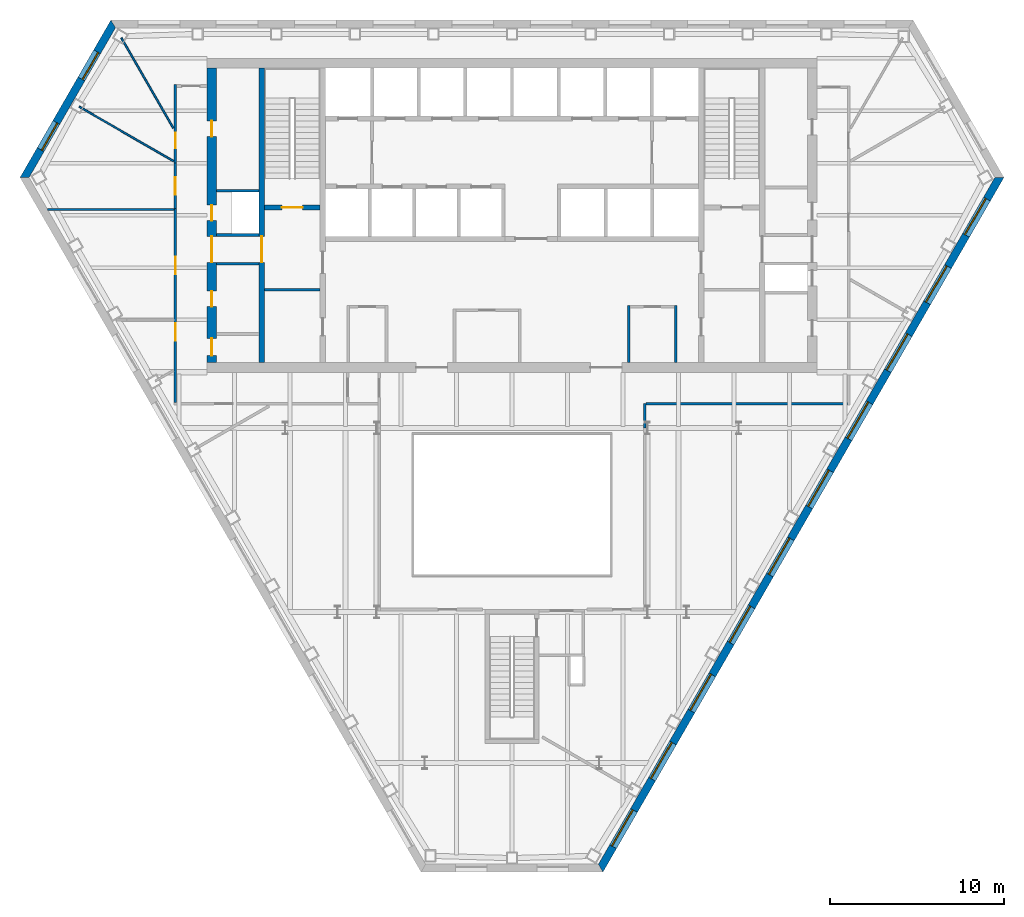
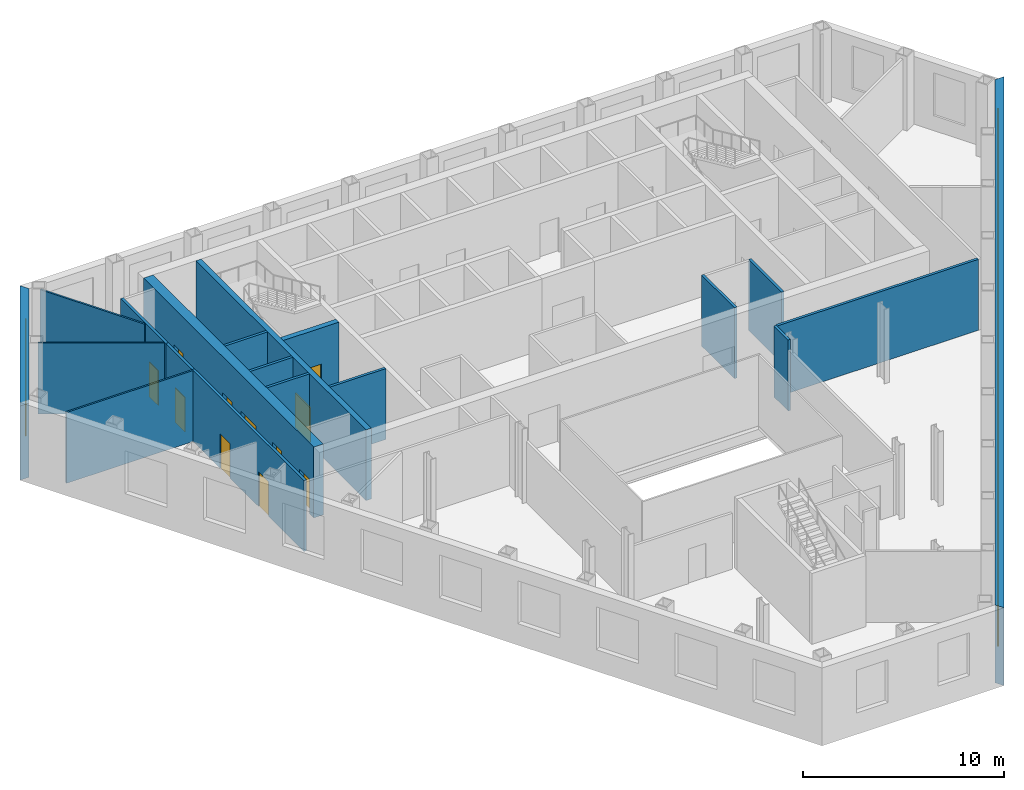
# One storey, part 5 of 11: 19 walls, 12 windows, 11 doors, 23 openings.
"""IFC4 building model written with IfcOpenShell, lengths in metres."""

from ifc_helpers import new_model, si_unit, direction, frame, frame_2d, origin, place, context, subcontext, project, spatial, polyline, rectangle, outline, extrude, material, layer, layer_set, type_object, element, fill, save


model = new_model("IFC4")

# Units and contexts
model_context = context("Model", 3, precision=1e-05, world=origin(), true_north=direction((0.0, 1.0)))
body_context = subcontext(model_context, "Body", "Model", "MODEL_VIEW")
ifc_project = project(units=[si_unit("LENGTHUNIT", "METRE"), si_unit("AREAUNIT", "SQUARE_METRE"), si_unit("VOLUMEUNIT", "CUBIC_METRE"), si_unit("PLANEANGLEUNIT", "RADIAN"), si_unit("MASSUNIT", "GRAM", prefix="KILO")], contexts=[model_context])

# Site, building, storey
site_placement = place(None, origin())
site = spatial("IfcSite", under=ifc_project, at=site_placement, CompositionType="ELEMENT")
building_placement = place(site_placement, origin())
building = spatial("IfcBuilding", under=site, at=building_placement, Name="Njiva Tower", CompositionType="ELEMENT")
storey_placement = place(building_placement, frame((0.0, 0.0, 93.3)))
storey = spatial("IfcBuildingStorey", under=building, at=storey_placement, Name="L19", CompositionType="ELEMENT", Elevation=93.3)

# Walls
ifc_material_1 = material(Name="Blockwork", Category="masonry")
ifc_layer_1 = layer(ifc_material_1, 0.15)
ifc_layer_set_1 = layer_set([ifc_layer_1], Name="Blockwork")
wall_type_1 = type_object("IfcWallType", Name="WT1 Compartment partition 150", PredefinedType="PARTITIONING", material=ifc_layer_set_1)
wall_1_placement = place(storey_placement, frame((-14.2, 4.725, 0.0), z_axis=(0.0, 0.0, 1.0), x_axis=(1.0, 0.0, 0.0)))
element("IfcWall", 1, at=wall_1_placement, inside=storey, type_object=wall_type_1, Name="Room wall A", PredefinedType="PARTITIONING", context=body_context, shape_type="SweptSolid", body=[
    extrude(rectangle(XDim=3.2, YDim=0.15, at=frame_2d((1.6, 0.0))), origin(), (0.0, 0.0, 1.0), 4.3),
])
for number, where, z_axis, x_axis, name in (
    (2, (6.7, 0.55, 0.0), (0.0, 0.0, 1.0), (0.0, 1.0, 0.0), "Information office wall west"),
    (3, (9.4, 0.55, 0.0), (0.0, 0.0, 1.0), (0.0, 1.0, 0.0), "Information office wall east"),
):
    element("IfcWall", number, at=place(storey_placement, frame(where, z_axis=z_axis, x_axis=x_axis)), inside=storey, type_object=wall_type_1, Name=name, PredefinedType="PARTITIONING", context=body_context, shape_type="SweptSolid", body=[
        extrude(rectangle(XDim=3.275, YDim=0.15, at=frame_2d((1.6375, 0.0))), origin(), (0.0, 0.0, 1.0), 4.3),
    ])

# Wall, opening, door
ifc_material_2 = material(Name="Concrete C40/50", Category="concrete")
ifc_layer_2 = layer(ifc_material_2, 0.3)
ifc_layer_set_2 = layer_set([ifc_layer_2], Name="Concrete C40/50")
wall_type_2 = type_object("IfcWallType", Name="WT10 Stair enclosure wall 300", PredefinedType="SHEAR", material=ifc_layer_set_2)
wall_2_placement = place(storey_placement, frame((-14.35, 0.55, 0.0), z_axis=(0.0, 0.0, 1.0), x_axis=(0.0, 1.0, 0.0)))
wall_2 = element("IfcWall", 4, at=wall_2_placement, inside=storey, type_object=wall_type_2, Name="Stair wall west outer", PredefinedType="SHEAR", context=body_context, shape_type="SweptSolid", body=[
    extrude(rectangle(XDim=16.9, YDim=0.3, at=frame_2d((8.45, 0.0))), origin(), (0.0, 0.0, 1.0), 4.3),
])
opening_1_placement = place(wall_2_placement, frame((5.75, 0.0, 0.0)))
opening_1 = element("IfcOpeningElement", 5, at=opening_1_placement, cuts=wall_2, Name="Opening S06-D920", PredefinedType="OPENING", context=body_context, shape_type="SweptSolid", body=[
    extrude(rectangle(XDim=1.5, YDim=2.1, at=frame_2d((0.75, 1.05))), frame((0.0, 0.16, 0.0), z_axis=(0.0, -1.0, 0.0), x_axis=(1.0, 0.0, 0.0)), (0.0, 0.0, 1.0), 0.32),
])
ifc_material_3 = material(Name="Glazed steel fire door", Category="steel")
door_type_1 = type_object("IfcDoorType", Name="D10 Exit door double 1500x2100 glazed", OperationType="DOUBLE_DOOR_SINGLE_SWING", PredefinedType="DOOR", material=ifc_material_3)
door_1_placement = place(opening_1_placement, origin())
door_1 = element("IfcDoor", 6, at=door_1_placement, inside=storey, type_object=door_type_1, Name="Stair A passage door", OperationType="DOUBLE_DOOR_SINGLE_SWING", OverallHeight=2.1, OverallWidth=1.5, PredefinedType="DOOR", context=body_context, shape_type="SweptSolid", body=[
    extrude(rectangle(XDim=1.5, YDim=2.1, at=frame_2d((0.75, 1.05))), frame((0.0, 0.025, 0.0), z_axis=(0.0, -1.0, 0.0), x_axis=(1.0, 0.0, 0.0)), (0.0, 0.0, 1.0), 0.05),
])
fill(opening_1, door_1)

wall_3_placement = place(storey_placement, frame((-14.2, 9.45, 0.0), z_axis=(0.0, 0.0, 1.0), x_axis=(1.0, 0.0, 0.0)))
wall_3 = element("IfcWall", 7, at=wall_3_placement, inside=storey, type_object=wall_type_2, Name="Stair A south wall", PredefinedType="SHEAR", context=body_context, shape_type="SweptSolid", body=[
    extrude(rectangle(XDim=3.2, YDim=0.3, at=frame_2d((1.6, 0.0))), origin(), (0.0, 0.0, 1.0), 4.3),
])
opening_2_placement = place(wall_3_placement, frame((1.0, 0.0, 0.0)))
opening_2 = element("IfcOpeningElement", 8, at=opening_2_placement, cuts=wall_3, Name="Opening S06-D913", PredefinedType="OPENING", context=body_context, shape_type="SweptSolid", body=[
    extrude(rectangle(XDim=1.2, YDim=2.1, at=frame_2d((0.6, 1.05))), frame((0.0, 0.16, 0.0), z_axis=(0.0, -1.0, 0.0), x_axis=(1.0, 0.0, 0.0)), (0.0, 0.0, 1.0), 0.32),
])
door_type_2 = type_object("IfcDoorType", Name="D7 Stair vestibule door 1200x2100 glazed", OperationType="SINGLE_SWING_LEFT", PredefinedType="DOOR", material=ifc_material_3)
door_2_placement = place(opening_2_placement, origin())
door_2 = element("IfcDoor", 9, at=door_2_placement, inside=storey, type_object=door_type_2, Name="Stair A door", OperationType="SINGLE_SWING_LEFT", OverallHeight=2.1, OverallWidth=1.2, PredefinedType="DOOR", context=body_context, shape_type="SweptSolid", body=[
    extrude(rectangle(XDim=1.2, YDim=2.1, at=frame_2d((0.6, 1.05))), frame((0.0, 0.025, 0.0), z_axis=(0.0, -1.0, 0.0), x_axis=(1.0, 0.0, 0.0)), (0.0, 0.0, 1.0), 0.05),
])
fill(opening_2, door_2)

# Wall, openings, doors
ifc_material_4 = material(Name="Concrete C60/75", Category="concrete")
ifc_layer_3 = layer(ifc_material_4, 0.55)
ifc_layer_set_3 = layer_set([ifc_layer_3], Name="Concrete C60/75")
wall_type_3 = type_object("IfcWallType", Name="WT14 Core wall 550", PredefinedType="SHEAR", material=ifc_layer_set_3)
wall_4_placement = place(storey_placement, frame((-17.225, 0.55, 0.0), z_axis=(0.0, 0.0, 1.0), x_axis=(0.0, 1.0, 0.0)))
wall_4 = element("IfcWall", 10, at=wall_4_placement, inside=storey, type_object=wall_type_3, Name="Core wall west", PredefinedType="SHEAR", context=body_context, shape_type="SweptSolid", body=[
    extrude(rectangle(XDim=16.9, YDim=0.55, at=frame_2d((8.45, 0.0))), origin(), (0.0, 0.0, 1.0), 4.3),
])
opening_3_placement = place(wall_4_placement, frame((5.75, 0.0, 0.0)))
opening_3 = element("IfcOpeningElement", 11, at=opening_3_placement, cuts=wall_4, Name="Opening S06-D921", PredefinedType="OPENING", context=body_context, shape_type="SweptSolid", body=[
    extrude(rectangle(XDim=1.5, YDim=2.1, at=frame_2d((0.75, 1.05))), frame((0.0, 0.285, 0.0), z_axis=(0.0, -1.0, 0.0), x_axis=(1.0, 0.0, 0.0)), (0.0, 0.0, 1.0), 0.57),
])
opening_4_placement = place(wall_4_placement, frame((0.4, 0.0, 0.0)))
opening_4 = element("IfcOpeningElement", 12, at=opening_4_placement, cuts=wall_4, Name="Opening S06-D922", PredefinedType="OPENING", context=body_context, shape_type="SweptSolid", body=[
    extrude(rectangle(XDim=1.0, YDim=2.1, at=frame_2d((0.5, 1.05))), frame((0.0, 0.285, 0.0), z_axis=(0.0, -1.0, 0.0), x_axis=(1.0, 0.0, 0.0)), (0.0, 0.0, 1.0), 0.57),
])
opening_5_placement = place(wall_4_placement, frame((3.2099, 0.0, 0.0)))
opening_5 = element("IfcOpeningElement", 13, at=opening_5_placement, cuts=wall_4, Name="Opening S06-D923", PredefinedType="OPENING", context=body_context, shape_type="SweptSolid", body=[
    extrude(rectangle(XDim=0.9, YDim=2.1, at=frame_2d((0.45, 1.05))), frame((0.0, 0.285, 0.0), z_axis=(0.0, -1.0, 0.0), x_axis=(1.0, 0.0, 0.0)), (0.0, 0.0, 1.0), 0.57),
])
opening_6_placement = place(wall_4_placement, frame((8.1409, 0.0, 0.0)))
opening_6 = element("IfcOpeningElement", 14, at=opening_6_placement, cuts=wall_4, Name="Opening S06-D924", PredefinedType="OPENING", context=body_context, shape_type="SweptSolid", body=[
    extrude(rectangle(XDim=0.9, YDim=2.1, at=frame_2d((0.45, 1.05))), frame((0.0, 0.285, 0.0), z_axis=(0.0, -1.0, 0.0), x_axis=(1.0, 0.0, 0.0)), (0.0, 0.0, 1.0), 0.57),
])
opening_7_placement = place(wall_4_placement, frame((12.9659, 0.0, 0.0)))
opening_7 = element("IfcOpeningElement", 15, at=opening_7_placement, cuts=wall_4, Name="Opening S06-D925", PredefinedType="OPENING", context=body_context, shape_type="SweptSolid", body=[
    extrude(rectangle(XDim=0.9, YDim=2.1, at=frame_2d((0.45, 1.05))), frame((0.0, 0.285, 0.0), z_axis=(0.0, -1.0, 0.0), x_axis=(1.0, 0.0, 0.0)), (0.0, 0.0, 1.0), 0.57),
])
door_3_placement = place(opening_3_placement, origin())
door_3 = element("IfcDoor", 16, at=door_3_placement, inside=storey, type_object=door_type_1, Name="Stair A corridor door", OperationType="DOUBLE_DOOR_SINGLE_SWING", OverallHeight=2.1, OverallWidth=1.5, PredefinedType="DOOR", context=body_context, shape_type="SweptSolid", body=[
    extrude(rectangle(XDim=1.5, YDim=2.1, at=frame_2d((0.75, 1.05))), frame((0.0, 0.025, 0.0), z_axis=(0.0, -1.0, 0.0), x_axis=(1.0, 0.0, 0.0)), (0.0, 0.0, 1.0), 0.05),
])
fill(opening_3, door_3)
ifc_material_5 = material(Name="Steel door, painted", Category="steel")
door_type_3 = type_object("IfcDoorType", Name="D4 Riser door 900x2100", OperationType="SINGLE_SWING_LEFT", PredefinedType="DOOR", material=ifc_material_5)
door_4_placement = place(opening_6_placement, origin())
door_4 = element("IfcDoor", 17, at=door_4_placement, inside=storey, type_object=door_type_3, Name="Riser door", OperationType="SINGLE_SWING_LEFT", OverallHeight=2.1, OverallWidth=0.9, PredefinedType="DOOR", context=body_context, shape_type="SweptSolid", body=[
    extrude(rectangle(XDim=0.9, YDim=2.1, at=frame_2d((0.45, 1.05))), frame((0.0, 0.025, 0.0), z_axis=(0.0, -1.0, 0.0), x_axis=(1.0, 0.0, 0.0)), (0.0, 0.0, 1.0), 0.05),
])
fill(opening_6, door_4)
door_type_4 = type_object("IfcDoorType", Name="D5 Steel door 1000x2100", OperationType="SINGLE_SWING_LEFT", PredefinedType="DOOR", material=ifc_material_5)
door_5_placement = place(opening_4_placement, origin())
door_5 = element("IfcDoor", 18, at=door_5_placement, inside=storey, type_object=door_type_4, Name="Electrical room door", OperationType="SINGLE_SWING_LEFT", OverallHeight=2.1, OverallWidth=1.0, PredefinedType="DOOR", context=body_context, shape_type="SweptSolid", body=[
    extrude(rectangle(XDim=1.0, YDim=2.1, at=frame_2d((0.5, 1.05))), frame((0.0, 0.025, 0.0), z_axis=(0.0, -1.0, 0.0), x_axis=(1.0, 0.0, 0.0)), (0.0, 0.0, 1.0), 0.05),
])
fill(opening_4, door_5)
ifc_material_6 = material(Name="Steel fire door, painted", Category="steel")
door_type_5 = type_object("IfcDoorType", Name="D6 Fire-rated door 900x2100", OperationType="SINGLE_SWING_LEFT", PredefinedType="DOOR", material=ifc_material_6)
door_6_placement = place(opening_5_placement, origin())
door_6 = element("IfcDoor", 19, at=door_6_placement, inside=storey, type_object=door_type_5, Name="First aid room door", OperationType="SINGLE_SWING_LEFT", OverallHeight=2.1, OverallWidth=0.9, PredefinedType="DOOR", context=body_context, shape_type="SweptSolid", body=[
    extrude(rectangle(XDim=0.9, YDim=2.1, at=frame_2d((0.45, 1.05))), frame((0.0, 0.025, 0.0), z_axis=(0.0, -1.0, 0.0), x_axis=(1.0, 0.0, 0.0)), (0.0, 0.0, 1.0), 0.05),
])
fill(opening_5, door_6)
door_7_placement = place(opening_7_placement, origin())
door_7 = element("IfcDoor", 20, at=door_7_placement, inside=storey, type_object=door_type_5, Name="Breakout room door", OperationType="SINGLE_SWING_RIGHT", OverallHeight=2.1, OverallWidth=0.9, PredefinedType="DOOR", context=body_context, shape_type="SweptSolid", body=[
    extrude(rectangle(XDim=0.9, YDim=2.1, at=frame_2d((0.45, 1.05))), frame((0.0, 0.025, 0.0), z_axis=(0.0, -1.0, 0.0), x_axis=(1.0, 0.0, 0.0)), (0.0, 0.0, 1.0), 0.05),
])
fill(opening_7, door_7)

# Walls
ifc_material_7 = material(Name="Gypsum board on steel studs", Category="gypsum")
ifc_layer_4 = layer(ifc_material_7, 0.1)
ifc_layer_set_4 = layer_set([ifc_layer_4], Name="Gypsum board on steel studs")
wall_type_4 = type_object("IfcWallType", Name="WT20 Gypsum partition 100", PredefinedType="PARTITIONING", material=ifc_layer_set_4)
wall_5_placement = place(storey_placement, frame((-26.632, 9.335, 0.0), z_axis=(0.0, 0.0, 1.0), x_axis=(1.0, 0.0, 0.0)))
element("IfcWall", 21, at=wall_5_placement, inside=storey, type_object=wall_type_4, Name="Partition S06-P001", PredefinedType="PARTITIONING", context=body_context, shape_type="SweptSolid", body=[
    extrude(rectangle(XDim=7.257, YDim=0.1, at=frame_2d((3.6285, 0.0))), origin(), (0.0, 0.0, 1.0), 4.3),
])
wall_6_placement = place(storey_placement, frame((-24.823, 15.234, 0.0), z_axis=(0.0, 0.0, 1.0), x_axis=(0.866023364538, -0.500003532061, 0.0)))
element("IfcWall", 22, at=wall_6_placement, inside=storey, type_object=wall_type_4, Name="Partition S06-P002", PredefinedType="PARTITIONING", context=body_context, shape_type="SweptSolid", body=[
    extrude(rectangle(XDim=6.262, YDim=0.1, at=frame_2d((3.131, 0.0))), origin(), (0.0, 0.0, 1.0), 4.3),
])
wall_7_placement = place(storey_placement, frame((-22.406, 19.18, 0.0), z_axis=(0.0, 0.0, 1.0), x_axis=(0.500026652407, -0.866010015463, 0.0)))
element("IfcWall", 23, at=wall_7_placement, inside=storey, type_object=wall_type_4, Name="Partition S06-P004", PredefinedType="PARTITIONING", context=body_context, shape_type="SweptSolid", body=[
    extrude(rectangle(XDim=5.9757, YDim=0.1, at=frame_2d((2.9878, 0.0))), origin(), (0.0, 0.0, 1.0), 4.3),
])

# Wall, opening, door
ifc_layer_5 = layer(ifc_material_7, 0.15)
ifc_layer_set_5 = layer_set([ifc_layer_5], Name="Gypsum board on steel studs")
wall_type_5 = type_object("IfcWallType", Name="WT21 Compartment wall 150", PredefinedType="PARTITIONING", material=ifc_layer_set_5)
wall_8_placement = place(storey_placement, frame((-19.301, 11.995, 0.0), z_axis=(0.0, 0.0, 1.0), x_axis=(0.000383141734, -0.999999926601, 0.0)))
wall_8 = element("IfcWall", 24, at=wall_8_placement, inside=storey, type_object=wall_type_5, Name="Partition S06-P007", PredefinedType="PARTITIONING", context=body_context, shape_type="SweptSolid", body=[
    extrude(rectangle(XDim=2.61, YDim=0.15, at=frame_2d((1.305, 0.0))), origin(), (0.0, 0.0, 1.0), 4.3),
])
opening_8_placement = place(wall_8_placement, frame((0.805, 0.0, 0.0)))
opening_8 = element("IfcOpeningElement", 25, at=opening_8_placement, cuts=wall_8, Name="Opening S06-D002", PredefinedType="OPENING", context=body_context, shape_type="SweptSolid", body=[
    extrude(rectangle(XDim=1.0, YDim=2.1, at=frame_2d((0.5, 1.05))), frame((0.0, 0.085, 0.0), z_axis=(0.0, -1.0, 0.0), x_axis=(1.0, 0.0, 0.0)), (0.0, 0.0, 1.0), 0.17),
])
ifc_material_8 = material(Name="Steel fire door set", Category="steel")
door_type_6 = type_object("IfcDoorType", Name="D37 Fire door 1000x2100", OperationType="SINGLE_SWING_LEFT", PredefinedType="DOOR", material=ifc_material_8)
door_8_placement = place(opening_8_placement, origin())
door_8 = element("IfcDoor", 26, at=door_8_placement, inside=storey, type_object=door_type_6, Name="Door S06-D002", OperationType="SINGLE_SWING_LEFT", OverallHeight=2.1, OverallWidth=1.0, PredefinedType="DOOR", context=body_context, shape_type="SweptSolid", body=[
    extrude(rectangle(XDim=1.0, YDim=2.1, at=frame_2d((0.5, 1.05))), frame((0.0, 0.025, 0.0), z_axis=(0.0, -1.0, 0.0), x_axis=(1.0, 0.0, 0.0)), (0.0, 0.0, 1.0), 0.05),
])
fill(opening_8, door_8)

# Wall, openings, doors
wall_9_placement = place(storey_placement, frame((-19.3, -1.725, 0.0), z_axis=(0.0, 0.0, 1.0), x_axis=(0.0, 1.0, 0.0)))
wall_9 = element("IfcWall", 27, at=wall_9_placement, inside=storey, type_object=wall_type_5, Name="Partition S06-P008", PredefinedType="PARTITIONING", context=body_context, shape_type="SweptSolid", body=[
    extrude(rectangle(XDim=11.11, YDim=0.15, at=frame_2d((5.555, 0.0))), origin(), (0.0, 0.0, 1.0), 4.3),
])
opening_9_placement = place(wall_9_placement, frame((3.524, 0.0, 0.0)))
opening_9 = element("IfcOpeningElement", 28, at=opening_9_placement, cuts=wall_9, Name="Opening S06-D003", PredefinedType="OPENING", context=body_context, shape_type="SweptSolid", body=[
    extrude(rectangle(XDim=1.0, YDim=2.1, at=frame_2d((0.5, 1.05))), frame((0.0, 0.085, 0.0), z_axis=(0.0, -1.0, 0.0), x_axis=(1.0, 0.0, 0.0)), (0.0, 0.0, 1.0), 0.17),
])
opening_10_placement = place(wall_9_placement, frame((7.342, 0.0, 0.0)))
opening_10 = element("IfcOpeningElement", 29, at=opening_10_placement, cuts=wall_9, Name="Opening S06-D004", PredefinedType="OPENING", context=body_context, shape_type="SweptSolid", body=[
    extrude(rectangle(XDim=1.0, YDim=2.1, at=frame_2d((0.5, 1.05))), frame((0.0, 0.085, 0.0), z_axis=(0.0, -1.0, 0.0), x_axis=(1.0, 0.0, 0.0)), (0.0, 0.0, 1.0), 0.17),
])
door_9_placement = place(opening_9_placement, origin())
door_9 = element("IfcDoor", 30, at=door_9_placement, inside=storey, type_object=door_type_6, Name="Door S06-D003", OperationType="SINGLE_SWING_RIGHT", OverallHeight=2.1, OverallWidth=1.0, PredefinedType="DOOR", context=body_context, shape_type="SweptSolid", body=[
    extrude(rectangle(XDim=1.0, YDim=2.1, at=frame_2d((0.5, 1.05))), frame((0.0, 0.025, 0.0), z_axis=(0.0, -1.0, 0.0), x_axis=(1.0, 0.0, 0.0)), (0.0, 0.0, 1.0), 0.05),
])
fill(opening_9, door_9)
door_10_placement = place(opening_10_placement, origin())
door_10 = element("IfcDoor", 31, at=door_10_placement, inside=storey, type_object=door_type_6, Name="Door S06-D004", OperationType="SINGLE_SWING_LEFT", OverallHeight=2.1, OverallWidth=1.0, PredefinedType="DOOR", context=body_context, shape_type="SweptSolid", body=[
    extrude(rectangle(XDim=1.0, YDim=2.1, at=frame_2d((0.5, 1.05))), frame((0.0, 0.025, 0.0), z_axis=(0.0, -1.0, 0.0), x_axis=(1.0, 0.0, 0.0)), (0.0, 0.0, 1.0), 0.05),
])
fill(opening_10, door_10)

# Wall, opening, door
wall_10_placement = place(storey_placement, frame((-19.3, 11.995, 0.0), z_axis=(0.0, 0.0, 1.0), x_axis=(0.0, 1.0, 0.0)))
wall_10 = element("IfcWall", 32, at=wall_10_placement, inside=storey, type_object=wall_type_5, Name="Partition S06-P009", PredefinedType="PARTITIONING", context=body_context, shape_type="SweptSolid", body=[
    extrude(rectangle(XDim=4.496, YDim=0.15, at=frame_2d((2.248, 0.0))), origin(), (0.0, 0.0, 1.0), 4.3),
])
opening_11_placement = place(wall_10_placement, frame((0.855, 0.0, 0.0)))
opening_11 = element("IfcOpeningElement", 33, at=opening_11_placement, cuts=wall_10, Name="Opening S06-D005", PredefinedType="OPENING", context=body_context, shape_type="SweptSolid", body=[
    extrude(rectangle(XDim=0.9, YDim=2.1, at=frame_2d((0.45, 1.05))), frame((0.0, 0.085, 0.0), z_axis=(0.0, -1.0, 0.0), x_axis=(1.0, 0.0, 0.0)), (0.0, 0.0, 1.0), 0.17),
])
door_type_7 = type_object("IfcDoorType", Name="D36 Fire door 900x2100", OperationType="SINGLE_SWING_LEFT", PredefinedType="DOOR", material=ifc_material_8)
door_11_placement = place(opening_11_placement, origin())
door_11 = element("IfcDoor", 34, at=door_11_placement, inside=storey, type_object=door_type_7, Name="Door S06-D005", OperationType="SINGLE_SWING_RIGHT", OverallHeight=2.1, OverallWidth=0.9, PredefinedType="DOOR", context=body_context, shape_type="SweptSolid", body=[
    extrude(rectangle(XDim=0.9, YDim=2.1, at=frame_2d((0.45, 1.05))), frame((0.0, 0.025, 0.0), z_axis=(0.0, -1.0, 0.0), x_axis=(1.0, 0.0, 0.0)), (0.0, 0.0, 1.0), 0.05),
])
fill(opening_11, door_11)

# Walls
wall_11_placement = place(storey_placement, frame((7.61, -3.2, 0.0), z_axis=(0.0, 0.0, 1.0), x_axis=(0.0, 1.0, 0.0)))
element("IfcWall", 35, at=wall_11_placement, inside=storey, type_object=wall_type_5, Name="Partition S06-P017A", PredefinedType="PARTITIONING", context=body_context, shape_type="SweptSolid", body=[
    extrude(rectangle(XDim=1.411, YDim=0.15, at=frame_2d((0.7055, 0.0))), origin(), (0.0, 0.0, 1.0), 4.3),
])
wall_12_placement = place(storey_placement, frame((7.685, -1.8, 0.0), z_axis=(0.0, 0.0, 1.0), x_axis=(1.0, 0.0, 0.0)))
element("IfcWall", 36, at=wall_12_placement, inside=storey, type_object=wall_type_5, Name="Partition S06-P018", PredefinedType="PARTITIONING", context=body_context, shape_type="SweptSolid", body=[
    extrude(rectangle(XDim=11.54, YDim=0.15, at=frame_2d((5.77, 0.0))), origin(), (0.0, 0.0, 1.0), 4.3),
])
ifc_layer_6 = layer(ifc_material_1, 0.15)
ifc_layer_set_6 = layer_set([ifc_layer_6], Name="Blockwork")
wall_type_6 = type_object("IfcWallType", Name="WT3 Riser partition 150", PredefinedType="PARTITIONING", material=ifc_layer_set_6)
wall_13_placement = place(storey_placement, frame((-16.95, 10.4069, 0.0), z_axis=(0.0, 0.0, 1.0), x_axis=(1.0, 0.0, 0.0)))
element("IfcWall", 37, at=wall_13_placement, inside=storey, type_object=wall_type_6, Name="Partition strip W10", PredefinedType="PARTITIONING", context=body_context, shape_type="SweptSolid", body=[
    extrude(rectangle(XDim=2.45, YDim=0.15, at=frame_2d((1.225, 0.0))), origin(), (0.0, 0.0, 1.0), 4.3),
])
ifc_layer_7 = layer(ifc_material_1, 0.15)
ifc_layer_set_7 = layer_set([ifc_layer_7], Name="Blockwork")
wall_type_7 = type_object("IfcWallType", Name="WT4 Stair partition 150", PredefinedType="PARTITIONING", material=ifc_layer_set_7)
for number, where, z_axis, x_axis, name in (
    (38, (-16.95, 6.225, 0.0), (0.0, 0.0, 1.0), (1.0, 0.0, 0.0), "Stair A exit passage wall south"),
    (39, (-16.95, 7.875, 0.0), (0.0, 0.0, 1.0), (1.0, 0.0, 0.0), "Stair A exit passage wall north"),
):
    element("IfcWall", number, at=place(storey_placement, frame(where, z_axis=z_axis, x_axis=x_axis)), inside=storey, type_object=wall_type_7, Name=name, PredefinedType="PARTITIONING", context=body_context, shape_type="SweptSolid", body=[
        extrude(rectangle(XDim=2.45, YDim=0.15, at=frame_2d((1.225, 0.0))), origin(), (0.0, 0.0, 1.0), 4.3),
    ])

# Wall, openings, windows
ifc_material_9 = material(Name="Brick masonry", Category="masonry")
ifc_layer_8 = layer(ifc_material_9, 0.45)
ifc_layer_set_8 = layer_set([ifc_layer_8], Name="Brick masonry")
wall_type_8 = type_object("IfcWallType", Name="WT90 Brick pier and spandrel wall 450", PredefinedType="SOLIDWALL", material=ifc_layer_set_8)
wall_14_placement = place(storey_placement, frame((5.0851, -28.4362, -0.4), z_axis=(0.0, 0.0, 1.0), x_axis=(0.499999194392, 0.866025868902, 0.0)))
wall_14 = element("IfcWall", 40, at=wall_14_placement, inside=storey, type_object=wall_type_8, Name="Facade wall SE", PredefinedType="SOLIDWALL", context=body_context, shape_type="SweptSolid", body=[
    extrude(outline(polyline([(-0.1299, -0.225), (45.8602, -0.225), (45.6004, 0.225), (0.1299, 0.225), (-0.1299, -0.225)])), origin(), (0.0, 0.0, 1.0), 4.72),
])
opening_12_placement = place(wall_14_placement, frame((1.4237, 0.0, 1.3)))
opening_12 = element("IfcOpeningElement", 41, at=opening_12_placement, cuts=wall_14, Name="Opening S06-W24", PredefinedType="OPENING", context=body_context, shape_type="SweptSolid", body=[
    extrude(rectangle(XDim=2.4, YDim=2.6, at=frame_2d((1.2, 1.3))), frame((0.0, 0.235, 0.0), z_axis=(0.0, -1.0, 0.0), x_axis=(1.0, 0.0, 0.0)), (0.0, 0.0, 1.0), 0.47),
])
opening_13_placement = place(wall_14_placement, frame((5.8919, 0.0, 1.3)))
opening_13 = element("IfcOpeningElement", 42, at=opening_13_placement, cuts=wall_14, Name="Opening S06-W25", PredefinedType="OPENING", context=body_context, shape_type="SweptSolid", body=[
    extrude(rectangle(XDim=2.4, YDim=2.6, at=frame_2d((1.2, 1.3))), frame((0.0, 0.235, 0.0), z_axis=(0.0, -1.0, 0.0), x_axis=(1.0, 0.0, 0.0)), (0.0, 0.0, 1.0), 0.47),
])
opening_14_placement = place(wall_14_placement, frame((10.3985, 0.0, 1.3)))
opening_14 = element("IfcOpeningElement", 43, at=opening_14_placement, cuts=wall_14, Name="Opening S06-W26", PredefinedType="OPENING", context=body_context, shape_type="SweptSolid", body=[
    extrude(rectangle(XDim=2.4, YDim=2.6, at=frame_2d((1.2, 1.3))), frame((0.0, 0.235, 0.0), z_axis=(0.0, -1.0, 0.0), x_axis=(1.0, 0.0, 0.0)), (0.0, 0.0, 1.0), 0.47),
])
opening_15_placement = place(wall_14_placement, frame((14.9052, 0.0, 1.3)))
opening_15 = element("IfcOpeningElement", 44, at=opening_15_placement, cuts=wall_14, Name="Opening S06-W27", PredefinedType="OPENING", context=body_context, shape_type="SweptSolid", body=[
    extrude(rectangle(XDim=2.4, YDim=2.6, at=frame_2d((1.2, 1.3))), frame((0.0, 0.235, 0.0), z_axis=(0.0, -1.0, 0.0), x_axis=(1.0, 0.0, 0.0)), (0.0, 0.0, 1.0), 0.47),
])
opening_16_placement = place(wall_14_placement, frame((19.4118, 0.0, 1.3)))
opening_16 = element("IfcOpeningElement", 45, at=opening_16_placement, cuts=wall_14, Name="Opening S06-W28", PredefinedType="OPENING", context=body_context, shape_type="SweptSolid", body=[
    extrude(rectangle(XDim=2.4, YDim=2.6, at=frame_2d((1.2, 1.3))), frame((0.0, 0.235, 0.0), z_axis=(0.0, -1.0, 0.0), x_axis=(1.0, 0.0, 0.0)), (0.0, 0.0, 1.0), 0.47),
])
opening_17_placement = place(wall_14_placement, frame((23.9184, 0.0, 1.3)))
opening_17 = element("IfcOpeningElement", 46, at=opening_17_placement, cuts=wall_14, Name="Opening S06-W29", PredefinedType="OPENING", context=body_context, shape_type="SweptSolid", body=[
    extrude(rectangle(XDim=2.4, YDim=2.6, at=frame_2d((1.2, 1.3))), frame((0.0, 0.235, 0.0), z_axis=(0.0, -1.0, 0.0), x_axis=(1.0, 0.0, 0.0)), (0.0, 0.0, 1.0), 0.47),
])
opening_18_placement = place(wall_14_placement, frame((28.425, 0.0, 1.3)))
opening_18 = element("IfcOpeningElement", 47, at=opening_18_placement, cuts=wall_14, Name="Opening S06-W30", PredefinedType="OPENING", context=body_context, shape_type="SweptSolid", body=[
    extrude(rectangle(XDim=2.4, YDim=2.6, at=frame_2d((1.2, 1.3))), frame((0.0, 0.235, 0.0), z_axis=(0.0, -1.0, 0.0), x_axis=(1.0, 0.0, 0.0)), (0.0, 0.0, 1.0), 0.47),
])
opening_19_placement = place(wall_14_placement, frame((32.9316, 0.0, 1.3)))
opening_19 = element("IfcOpeningElement", 48, at=opening_19_placement, cuts=wall_14, Name="Opening S06-W31", PredefinedType="OPENING", context=body_context, shape_type="SweptSolid", body=[
    extrude(rectangle(XDim=2.4, YDim=2.6, at=frame_2d((1.2, 1.3))), frame((0.0, 0.235, 0.0), z_axis=(0.0, -1.0, 0.0), x_axis=(1.0, 0.0, 0.0)), (0.0, 0.0, 1.0), 0.47),
])
opening_20_placement = place(wall_14_placement, frame((37.4383, 0.0, 1.3)))
opening_20 = element("IfcOpeningElement", 49, at=opening_20_placement, cuts=wall_14, Name="Opening S06-W32", PredefinedType="OPENING", context=body_context, shape_type="SweptSolid", body=[
    extrude(rectangle(XDim=2.4, YDim=2.6, at=frame_2d((1.2, 1.3))), frame((0.0, 0.235, 0.0), z_axis=(0.0, -1.0, 0.0), x_axis=(1.0, 0.0, 0.0)), (0.0, 0.0, 1.0), 0.47),
])
opening_21_placement = place(wall_14_placement, frame((41.9065, 0.0, 1.3)))
opening_21 = element("IfcOpeningElement", 50, at=opening_21_placement, cuts=wall_14, Name="Opening S06-W33", PredefinedType="OPENING", context=body_context, shape_type="SweptSolid", body=[
    extrude(rectangle(XDim=2.4, YDim=2.6, at=frame_2d((1.2, 1.3))), frame((0.0, 0.235, 0.0), z_axis=(0.0, -1.0, 0.0), x_axis=(1.0, 0.0, 0.0)), (0.0, 0.0, 1.0), 0.47),
])
ifc_material_10 = material(Name="Clear glazing in aluminium frame", Category="aluminium")
window_type_1 = type_object("IfcWindowType", Name="W92 Deep-set window 2400x2600", PartitioningType="SINGLE_PANEL", PredefinedType="WINDOW", material=ifc_material_10)
window_1_placement = place(opening_12_placement, origin())
window_1 = element("IfcWindow", 51, at=window_1_placement, inside=storey, type_object=window_type_1, Name="Window", OverallHeight=2.6, OverallWidth=2.4, PartitioningType="SINGLE_PANEL", PredefinedType="WINDOW", context=body_context, shape_type="SweptSolid", body=[
    extrude(rectangle(XDim=2.4, YDim=2.6, at=frame_2d((1.2, 1.3))), frame((0.0, 0.105, 0.0), z_axis=(0.0, -1.0, 0.0), x_axis=(1.0, 0.0, 0.0)), (0.0, 0.0, 1.0), 0.06),
])
fill(opening_12, window_1)
window_2_placement = place(opening_13_placement, origin())
window_2 = element("IfcWindow", 52, at=window_2_placement, inside=storey, type_object=window_type_1, Name="Window", OverallHeight=2.6, OverallWidth=2.4, PartitioningType="SINGLE_PANEL", PredefinedType="WINDOW", context=body_context, shape_type="SweptSolid", body=[
    extrude(rectangle(XDim=2.4, YDim=2.6, at=frame_2d((1.2, 1.3))), frame((0.0, 0.105, 0.0), z_axis=(0.0, -1.0, 0.0), x_axis=(1.0, 0.0, 0.0)), (0.0, 0.0, 1.0), 0.06),
])
fill(opening_13, window_2)
window_3_placement = place(opening_14_placement, origin())
window_3 = element("IfcWindow", 53, at=window_3_placement, inside=storey, type_object=window_type_1, Name="Window", OverallHeight=2.6, OverallWidth=2.4, PartitioningType="SINGLE_PANEL", PredefinedType="WINDOW", context=body_context, shape_type="SweptSolid", body=[
    extrude(rectangle(XDim=2.4, YDim=2.6, at=frame_2d((1.2, 1.3))), frame((0.0, 0.105, 0.0), z_axis=(0.0, -1.0, 0.0), x_axis=(1.0, 0.0, 0.0)), (0.0, 0.0, 1.0), 0.06),
])
fill(opening_14, window_3)
window_4_placement = place(opening_15_placement, origin())
window_4 = element("IfcWindow", 54, at=window_4_placement, inside=storey, type_object=window_type_1, Name="Window", OverallHeight=2.6, OverallWidth=2.4, PartitioningType="SINGLE_PANEL", PredefinedType="WINDOW", context=body_context, shape_type="SweptSolid", body=[
    extrude(rectangle(XDim=2.4, YDim=2.6, at=frame_2d((1.2, 1.3))), frame((0.0, 0.105, 0.0), z_axis=(0.0, -1.0, 0.0), x_axis=(1.0, 0.0, 0.0)), (0.0, 0.0, 1.0), 0.06),
])
fill(opening_15, window_4)
window_5_placement = place(opening_16_placement, origin())
window_5 = element("IfcWindow", 55, at=window_5_placement, inside=storey, type_object=window_type_1, Name="Window", OverallHeight=2.6, OverallWidth=2.4, PartitioningType="SINGLE_PANEL", PredefinedType="WINDOW", context=body_context, shape_type="SweptSolid", body=[
    extrude(rectangle(XDim=2.4, YDim=2.6, at=frame_2d((1.2, 1.3))), frame((0.0, 0.105, 0.0), z_axis=(0.0, -1.0, 0.0), x_axis=(1.0, 0.0, 0.0)), (0.0, 0.0, 1.0), 0.06),
])
fill(opening_16, window_5)
window_6_placement = place(opening_17_placement, origin())
window_6 = element("IfcWindow", 56, at=window_6_placement, inside=storey, type_object=window_type_1, Name="Window", OverallHeight=2.6, OverallWidth=2.4, PartitioningType="SINGLE_PANEL", PredefinedType="WINDOW", context=body_context, shape_type="SweptSolid", body=[
    extrude(rectangle(XDim=2.4, YDim=2.6, at=frame_2d((1.2, 1.3))), frame((0.0, 0.105, 0.0), z_axis=(0.0, -1.0, 0.0), x_axis=(1.0, 0.0, 0.0)), (0.0, 0.0, 1.0), 0.06),
])
fill(opening_17, window_6)
window_7_placement = place(opening_18_placement, origin())
window_7 = element("IfcWindow", 57, at=window_7_placement, inside=storey, type_object=window_type_1, Name="Window", OverallHeight=2.6, OverallWidth=2.4, PartitioningType="SINGLE_PANEL", PredefinedType="WINDOW", context=body_context, shape_type="SweptSolid", body=[
    extrude(rectangle(XDim=2.4, YDim=2.6, at=frame_2d((1.2, 1.3))), frame((0.0, 0.105, 0.0), z_axis=(0.0, -1.0, 0.0), x_axis=(1.0, 0.0, 0.0)), (0.0, 0.0, 1.0), 0.06),
])
fill(opening_18, window_7)
window_8_placement = place(opening_19_placement, origin())
window_8 = element("IfcWindow", 58, at=window_8_placement, inside=storey, type_object=window_type_1, Name="Window", OverallHeight=2.6, OverallWidth=2.4, PartitioningType="SINGLE_PANEL", PredefinedType="WINDOW", context=body_context, shape_type="SweptSolid", body=[
    extrude(rectangle(XDim=2.4, YDim=2.6, at=frame_2d((1.2, 1.3))), frame((0.0, 0.105, 0.0), z_axis=(0.0, -1.0, 0.0), x_axis=(1.0, 0.0, 0.0)), (0.0, 0.0, 1.0), 0.06),
])
fill(opening_19, window_8)
window_9_placement = place(opening_20_placement, origin())
window_9 = element("IfcWindow", 59, at=window_9_placement, inside=storey, type_object=window_type_1, Name="Window", OverallHeight=2.6, OverallWidth=2.4, PartitioningType="SINGLE_PANEL", PredefinedType="WINDOW", context=body_context, shape_type="SweptSolid", body=[
    extrude(rectangle(XDim=2.4, YDim=2.6, at=frame_2d((1.2, 1.3))), frame((0.0, 0.105, 0.0), z_axis=(0.0, -1.0, 0.0), x_axis=(1.0, 0.0, 0.0)), (0.0, 0.0, 1.0), 0.06),
])
fill(opening_20, window_9)
window_10_placement = place(opening_21_placement, origin())
window_10 = element("IfcWindow", 60, at=window_10_placement, inside=storey, type_object=window_type_1, Name="Window", OverallHeight=2.6, OverallWidth=2.4, PartitioningType="SINGLE_PANEL", PredefinedType="WINDOW", context=body_context, shape_type="SweptSolid", body=[
    extrude(rectangle(XDim=2.4, YDim=2.6, at=frame_2d((1.2, 1.3))), frame((0.0, 0.105, 0.0), z_axis=(0.0, -1.0, 0.0), x_axis=(1.0, 0.0, 0.0)), (0.0, 0.0, 1.0), 0.06),
])
fill(opening_21, window_10)

ifc_material_11 = material(Name="Brick masonry, buff", Category="masonry")
ifc_layer_9 = layer(ifc_material_11, 0.45)
ifc_layer_set_9 = layer_set([ifc_layer_9], Name="Brick masonry, buff")
wall_type_9 = type_object("IfcWallType", Name="WT94 Brick pier and spandrel wall 450, buff", PredefinedType="SOLIDWALL", material=ifc_layer_set_9)
wall_15_placement = place(storey_placement, frame((-22.8688, 19.9772, -0.4), z_axis=(0.0, 0.0, 1.0), x_axis=(-0.499997937663, -0.866026594472, 0.0)))
wall_15 = element("IfcWall", 61, at=wall_15_placement, inside=storey, type_object=wall_type_9, Name="Facade wall NW", PredefinedType="SOLIDWALL", context=body_context, shape_type="SweptSolid", body=[
    extrude(outline(polyline([(-0.1299, -0.225), (10.3001, -0.225), (10.0403, 0.225), (0.1299, 0.225), (-0.1299, -0.225)])), origin(), (0.0, 0.0, 1.0), 4.5),
])
opening_22_placement = place(wall_15_placement, frame((1.8469, 0.0, 1.3)))
opening_22 = element("IfcOpeningElement", 62, at=opening_22_placement, cuts=wall_15, Name="Opening S06-W11", PredefinedType="OPENING", context=body_context, shape_type="SweptSolid", body=[
    extrude(rectangle(XDim=1.8, YDim=2.6, at=frame_2d((0.9, 1.3))), frame((0.0, 0.235, 0.0), z_axis=(0.0, -1.0, 0.0), x_axis=(1.0, 0.0, 0.0)), (0.0, 0.0, 1.0), 0.47),
])
opening_23_placement = place(wall_15_placement, frame((6.5232, 0.0, 1.3)))
opening_23 = element("IfcOpeningElement", 63, at=opening_23_placement, cuts=wall_15, Name="Opening S06-W12", PredefinedType="OPENING", context=body_context, shape_type="SweptSolid", body=[
    extrude(rectangle(XDim=1.8, YDim=2.6, at=frame_2d((0.9, 1.3))), frame((0.0, 0.235, 0.0), z_axis=(0.0, -1.0, 0.0), x_axis=(1.0, 0.0, 0.0)), (0.0, 0.0, 1.0), 0.47),
])
window_type_2 = type_object("IfcWindowType", Name="W96 Deep-set window 1800x2600", PartitioningType="SINGLE_PANEL", PredefinedType="WINDOW", material=ifc_material_10)
window_11_placement = place(opening_22_placement, origin())
window_11 = element("IfcWindow", 64, at=window_11_placement, inside=storey, type_object=window_type_2, Name="Window", OverallHeight=2.6, OverallWidth=1.8, PartitioningType="SINGLE_PANEL", PredefinedType="WINDOW", context=body_context, shape_type="SweptSolid", body=[
    extrude(rectangle(XDim=1.8, YDim=2.6, at=frame_2d((0.9, 1.3))), frame((0.0, 0.105, 0.0), z_axis=(0.0, -1.0, 0.0), x_axis=(1.0, 0.0, 0.0)), (0.0, 0.0, 1.0), 0.06),
])
fill(opening_22, window_11)
window_12_placement = place(opening_23_placement, origin())
window_12 = element("IfcWindow", 65, at=window_12_placement, inside=storey, type_object=window_type_2, Name="Window", OverallHeight=2.6, OverallWidth=1.8, PartitioningType="SINGLE_PANEL", PredefinedType="WINDOW", context=body_context, shape_type="SweptSolid", body=[
    extrude(rectangle(XDim=1.8, YDim=2.6, at=frame_2d((0.9, 1.3))), frame((0.0, 0.105, 0.0), z_axis=(0.0, -1.0, 0.0), x_axis=(1.0, 0.0, 0.0)), (0.0, 0.0, 1.0), 0.06),
])
fill(opening_23, window_12)

save(model, "model.ifc")
